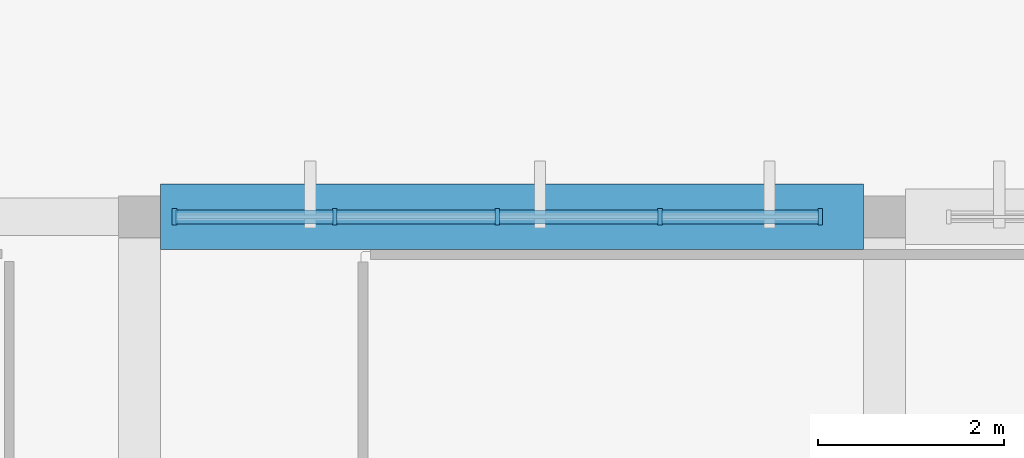
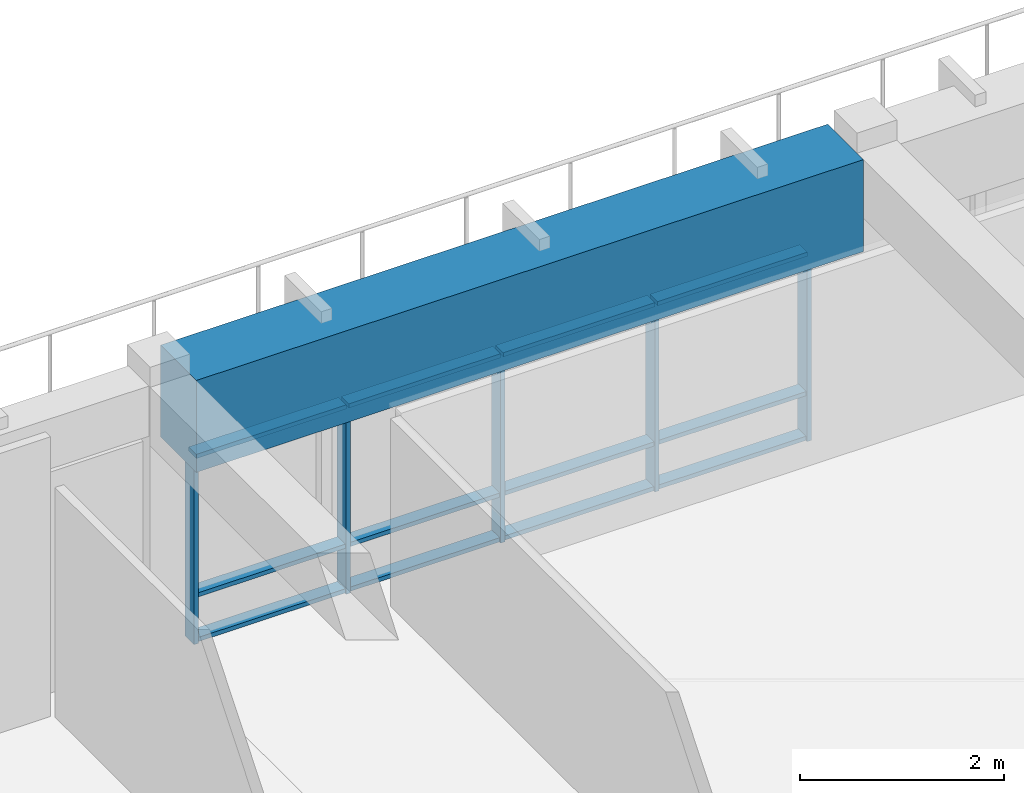
# One storey, part 21 of 77: 17 members, 1 beam, 1 element without a shape of its own.
"""IFC4 building model written with IfcOpenShell, lengths in metres."""

import ifcopenshell
import ifcopenshell.guid

model = None  # the IFC model being written
_history = None  # IfcOwnerHistory: only IFC2X3 demands one
_inside = {}  # id of a spatial element -> (the spatial element, [elements in it])
_under = {}  # id of a project, library or spatial element -> (it, [spatial elements below it])
_declared = {}  # id of a project -> (the project, [libraries it declares])
_typed = {}  # id of a type object -> (the type object, [elements of that type])
_made_of = {}  # id of a material, layer set ... -> (it, [elements and type objects made of it])


def new_model(schema):
    """Start an empty IFC model of exactly this schema.

    Asked for "IFC4X3", IfcOpenShell would pick the latest addendum, in which some entities
    have other attributes; the version numbers below select the first issue.
    IFC2X3 requires an IfcOwnerHistory on every rooted entity: one is made here for all.
    """
    global model, _history
    if schema == "IFC4X3":
        model = ifcopenshell.file(schema_version=(4, 3, 0, 0))
    else:
        model = ifcopenshell.file(schema=schema)
    _inside.clear()
    _under.clear()
    _declared.clear()
    _typed.clear()
    _made_of.clear()
    _history = None
    if model.schema == "IFC2X3":
        org = make("IfcOrganization", Name="unknown")
        user = make(
            "IfcPersonAndOrganization",
            ThePerson=make("IfcPerson", FamilyName="unknown"),
            TheOrganization=org,
        )
        app = make(
            "IfcApplication",
            ApplicationDeveloper=org,
            Version="unknown",
            ApplicationFullName="unknown",
            ApplicationIdentifier="unknown",
        )
        _history = make(
            "IfcOwnerHistory",
            OwningUser=user,
            OwningApplication=app,
            ChangeAction="ADDED",
            CreationDate=0,
        )
    return model


def make(cls, **values):
    """One entity of the class cls with the attributes given. An attribute that is None is left unset."""
    return model.create_entity(
        cls, **{name: value for name, value in values.items() if value is not None}
    )


def rooted(cls, **values):
    """An entity with a GlobalId (a new one), such as an element, a storey or a relation."""
    return make(cls, GlobalId=ifcopenshell.guid.new(), OwnerHistory=_history, **values)


def si_unit(unit_type, name, prefix=None):
    """IfcSIUnit, for example si_unit("LENGTHUNIT", "METRE", prefix="MILLI")."""
    return make("IfcSIUnit", UnitType=unit_type, Prefix=prefix, Name=name)


def assignment(units):
    """IfcUnitAssignment: the units of a project."""
    return None if units is None else make("IfcUnitAssignment", Units=units)


def point(xyz):
    """IfcCartesianPoint."""
    return None if xyz is None else make("IfcCartesianPoint", Coordinates=xyz)


def direction(xyz):
    """IfcDirection."""
    return None if xyz is None else make("IfcDirection", DirectionRatios=xyz)


def frame(location, z_axis=None, x_axis=None):
    """IfcAxis2Placement3D, a coordinate frame: its origin and axes. An axis left out is left unset."""
    return make(
        "IfcAxis2Placement3D",
        Location=point(location),
        Axis=direction(z_axis),
        RefDirection=direction(x_axis),
    )


def frame_2d(location, x_axis=None):
    """IfcAxis2Placement2D, a coordinate frame in the plane: its origin and x axis."""
    return make(
        "IfcAxis2Placement2D", Location=point(location), RefDirection=direction(x_axis)
    )


def origin():
    """The frame at (0, 0, 0) with its axes left unset."""
    return frame((0.0, 0.0, 0.0))


def origin_2d():
    """The frame at (0, 0) in the plane with its x axis left unset."""
    return frame_2d((0.0, 0.0))


def place(relative_to, where):
    """IfcLocalPlacement: puts the frame where relative to a parent placement (None: the world)."""
    return make(
        "IfcLocalPlacement", PlacementRelTo=relative_to, RelativePlacement=where
    )


def context(
    kind, dimensions, precision=None, world=None, true_north=None, identifier=None
):
    """IfcGeometricRepresentationContext, for example the 3D "Model" context."""
    return make(
        "IfcGeometricRepresentationContext",
        ContextIdentifier=identifier,
        ContextType=kind,
        CoordinateSpaceDimension=dimensions,
        Precision=precision,
        WorldCoordinateSystem=world,
        TrueNorth=true_north,
    )


def subcontext(parent, identifier, kind, view, scale=None):
    """IfcGeometricRepresentationSubContext, for example "Body" below "Model"."""
    return make(
        "IfcGeometricRepresentationSubContext",
        ContextIdentifier=identifier,
        ContextType=kind,
        ParentContext=parent,
        TargetScale=scale,
        TargetView=view,
    )


def project(units=None, contexts=None):
    """IfcProject with its units and contexts."""
    return rooted(
        "IfcProject",
        Name="project",
        RepresentationContexts=contexts,
        UnitsInContext=assignment(units),
    )


def spatial(cls, under=None, at=None, **own):
    """A site, building, storey or space (cls), placed at a placement, below another one or the project."""
    s = rooted(cls, ObjectPlacement=at, **own)
    if under is not None:
        _under.setdefault(under.id(), (under, []))[1].append(s)
    return s


def profile(cls, at=None, kind="AREA", **sizes):
    """A parametric profile (cls). Its sizes go by their IFC names, for example OverallWidth=200.0."""
    return make(cls, ProfileType=kind, Position=at, **sizes)


def rectangle(**sizes):
    """IfcRectangleProfileDef."""
    return profile("IfcRectangleProfileDef", **sizes)


def extrude(swept, where, along, depth):
    """IfcExtrudedAreaSolid: the profile swept, set in the frame where, extruded along a direction by depth."""
    return make(
        "IfcExtrudedAreaSolid",
        SweptArea=swept,
        Position=where,
        ExtrudedDirection=direction(along),
        Depth=depth,
    )


def shape(context_of_items, identifier, shape_type, items):
    """IfcShapeRepresentation: the items that make up one representation, for example the "Body"."""
    return make(
        "IfcShapeRepresentation",
        ContextOfItems=context_of_items,
        RepresentationIdentifier=identifier,
        RepresentationType=shape_type,
        Items=items,
    )


def material(Name=None, Category=None):
    """IfcMaterial."""
    return make("IfcMaterial", Name=Name, Category=Category)


def material_profile(
    of_material, cross_section, Name=None, Category=None, Priority=None
):
    """IfcMaterialProfile: a cross section and its material."""
    return make(
        "IfcMaterialProfile",
        Name=Name,
        Material=of_material,
        Profile=cross_section,
        Priority=Priority,
        Category=Category,
    )


def profile_set(profiles, Name=None, composite=None):
    """IfcMaterialProfileSet."""
    return make(
        "IfcMaterialProfileSet",
        Name=Name,
        MaterialProfiles=profiles,
        CompositeProfile=composite,
    )


def made_of(thing, what):
    """Note that an element or type object is made of a material, layer set ...; save() writes the relation."""
    if what is not None:
        _made_of.setdefault(what.id(), (what, []))[1].append(thing)
    return thing


def type_object(cls, material=None, **own):
    """A type object (cls), such as IfcWallType, which elements share."""
    return made_of(rooted(cls, **own), material)


def element(
    cls,
    number,
    at=None,
    inside=None,
    cuts=None,
    type_object=None,
    material=None,
    context=None,
    identifier="Body",
    shape_type=None,
    held_by="IfcProductDefinitionShape",
    body=None,
    shapes=None,
    **own,
):
    """One element of the class cls, such as IfcWall. Its Tag is "e" and its number.

    at: its placement. inside: the storey or other place that contains it. cuts: it is an
    opening in that element (IfcRelVoidsElement). A single representation is given by context,
    identifier, shape_type and body (its items); several are given by shapes. held_by: the class
    of the entity that holds the representations. save() writes the other relations.
    """
    e = rooted(cls, Tag="e%d" % number, ObjectPlacement=at, **own)
    if body is not None:
        shapes = [shape(context, identifier, shape_type, body)]
    if shapes is not None:
        e.Representation = make(held_by, Representations=shapes)
    if inside is not None:
        _inside.setdefault(inside.id(), (inside, []))[1].append(e)
    if cuts is not None:
        rooted(
            "IfcRelVoidsElement", RelatingBuildingElement=cuts, RelatedOpeningElement=e
        )
    if type_object is not None:
        _typed.setdefault(type_object.id(), (type_object, []))[1].append(e)
    return made_of(e, material)


def aggregate(whole, parts):
    """IfcRelAggregates: a whole, such as a stair, and the parts it consists of."""
    return rooted("IfcRelAggregates", RelatingObject=whole, RelatedObjects=parts)


def save(model, path):
    """Write the relations noted so far, then the file.

    IfcRelAggregates (storeys below a building ...), IfcRelContainedInSpatialStructure (elements
    in a storey), IfcRelDefinesByType, IfcRelAssociatesMaterial and IfcRelDeclares: one each for
    every whole, place, type object, material and project.
    """
    for whole, parts in _under.values():
        aggregate(whole, parts)
    for where, things in _inside.values():
        rooted(
            "IfcRelContainedInSpatialStructure",
            RelatedElements=things,
            RelatingStructure=where,
        )
    for kind, things in _typed.values():
        rooted("IfcRelDefinesByType", RelatedObjects=things, RelatingType=kind)
    for what, things in _made_of.values():
        rooted("IfcRelAssociatesMaterial", RelatedObjects=things, RelatingMaterial=what)
    for by, libraries in _declared.values():
        rooted("IfcRelDeclares", RelatingContext=by, RelatedDefinitions=libraries)
    model.write(path)


model = new_model("IFC4")

# Units and contexts
model_context = context("Model", 3, precision=1e-05, world=origin(), true_north=direction((0.0, 1.0)))
body_context = subcontext(model_context, "Body", "Model", "MODEL_VIEW")
ifc_project = project(units=[si_unit("LENGTHUNIT", "METRE"), si_unit("AREAUNIT", "SQUARE_METRE"), si_unit("VOLUMEUNIT", "CUBIC_METRE"), si_unit("PLANEANGLEUNIT", "RADIAN"), si_unit("MASSUNIT", "GRAM", prefix="KILO")], contexts=[model_context])

# Site, building, storey
site_placement = place(None, origin())
site = spatial("IfcSite", under=ifc_project, at=site_placement, CompositionType="ELEMENT")
building_placement = place(site_placement, origin())
building = spatial("IfcBuilding", under=site, at=building_placement, Name="Larkveld Mobility Hub", CompositionType="ELEMENT")
storey_placement = place(building_placement, frame((0.0, 0.0, 12.0)))
storey = spatial("IfcBuildingStorey", under=building, at=storey_placement, Name="L03", CompositionType="ELEMENT", Elevation=12.0)

# Beam
ifc_material_1 = material(Name="Concrete C40/50", Category="concrete")
ifc_material_profile_1 = material_profile(ifc_material_1, rectangle(XDim=0.699951171875, YDim=1.10009765625, at=origin_2d()), Name="RC BM 700x1100")
ifc_profile_set_1 = profile_set([ifc_material_profile_1], Name="Concrete C40/50")
beam_type = type_object("IfcBeamType", Name="BM-RC70110", PredefinedType="BEAM", material=ifc_profile_set_1)
beam_placement = place(storey_placement, frame((56.22509765625, 122.0, 2.81005859375), z_axis=(1.0, 0.0, 0.0), x_axis=(0.0, 1.0, 0.0)))
element("IfcBeam", 1, at=beam_placement, inside=storey, type_object=beam_type, Name="Primary E-W Girder L03-0767", PredefinedType="BEAM", context=body_context, shape_type="SweptSolid", body=[
    extrude(rectangle(XDim=0.699951171875, YDim=1.10009765625, at=origin_2d()), origin(), (0.0, 0.0, 1.0), 7.5498046875),
])

# Curtain wall, members
ifc_material_2 = material(Name="Anodised aluminium 6063-T6", Category="aluminium")
curtain_wall_type = type_object("IfcCurtainWallType", Name="CW-SYS-06", PredefinedType="NOTDEFINED", material=ifc_material_2)
curtain_wall_placement = place(storey_placement, origin())
curtain_wall = element("IfcCurtainWall", 2, at=curtain_wall_placement, inside=storey, type_object=curtain_wall_type, Name="Bicycle Hall North Curtain Wall L03 CW-090", PredefinedType="NOTDEFINED")
ifc_material_profile_2 = material_profile(ifc_material_2, rectangle(XDim=0.050048828125, YDim=0.179931640625, at=origin_2d()), Name="ALU MULL 50x180")
ifc_profile_set_2 = profile_set([ifc_material_profile_2], Name="Anodised aluminium 6063-T6")
member_type_1 = type_object("IfcMemberType", Name="CW-MUL-02", PredefinedType="MULLION", material=ifc_profile_set_2)
member_1_placement = place(storey_placement, frame((63.31005859375, 122.0, -0.001953125), z_axis=(0.0, 0.0, 1.0), x_axis=(-1.0, 0.0, 0.0)))
member_1 = element("IfcMember", 3, at=member_1_placement, type_object=member_type_1, Name="CW06 mullion 1", PredefinedType="MULLION", context=body_context, shape_type="SweptSolid", body=[
    extrude(rectangle(XDim=0.050048828125, YDim=0.179931640625, at=origin_2d()), origin(), (0.0, 0.0, 1.0), 2.261962890625),
])
member_2_placement = place(storey_placement, frame((61.589111328125, 122.0, -0.001953125), z_axis=(0.0, 0.0, 1.0), x_axis=(-1.0, 0.0, 0.0)))
member_2 = element("IfcMember", 4, at=member_2_placement, type_object=member_type_1, Name="CW06 mullion 2", PredefinedType="MULLION", context=body_context, shape_type="SweptSolid", body=[
    extrude(rectangle(XDim=0.050048828125, YDim=0.179931640625, at=origin_2d()), origin(), (0.0, 0.0, 1.0), 2.261962890625),
])
member_3_placement = place(storey_placement, frame((59.843017578125, 122.0, -0.001953125), z_axis=(0.0, 0.0, 1.0), x_axis=(-1.0, 0.0, 0.0)))
member_3 = element("IfcMember", 5, at=member_3_placement, type_object=member_type_1, Name="CW06 mullion 3", PredefinedType="MULLION", context=body_context, shape_type="SweptSolid", body=[
    extrude(rectangle(XDim=0.050048828125, YDim=0.179931640625, at=origin_2d()), origin(), (0.0, 0.0, 1.0), 2.261962890625),
])
member_4_placement = place(storey_placement, frame((58.095947265625, 122.0, -0.001953125), z_axis=(0.0, 0.0, 1.0), x_axis=(-1.0, 0.0, 0.0)))
member_4 = element("IfcMember", 6, at=member_4_placement, type_object=member_type_1, Name="CW06 mullion 4", PredefinedType="MULLION", context=body_context, shape_type="SweptSolid", body=[
    extrude(rectangle(XDim=0.050048828125, YDim=0.179931640625, at=origin_2d()), origin(), (0.0, 0.0, 1.0), 2.261962890625),
])
member_5_placement = place(storey_placement, frame((56.375, 122.0, -0.001953125), z_axis=(0.0, 0.0, 1.0), x_axis=(-1.0, 0.0, 0.0)))
member_5 = element("IfcMember", 7, at=member_5_placement, type_object=member_type_1, Name="CW06 mullion 5", PredefinedType="MULLION", context=body_context, shape_type="SweptSolid", body=[
    extrude(rectangle(XDim=0.050048828125, YDim=0.179931640625, at=origin_2d()), origin(), (0.0, 0.0, 1.0), 2.261962890625),
])
ifc_material_profile_3 = material_profile(ifc_material_2, rectangle(XDim=0.14990234375, YDim=0.050048828125, at=origin_2d()), Name="ALU TRAN 50x150")
ifc_profile_set_3 = profile_set([ifc_material_profile_3], Name="Anodised aluminium 6063-T6")
member_type_2 = type_object("IfcMemberType", Name="CW-TRN-02", PredefinedType="USERDEFINED", material=ifc_profile_set_3)
member_6_placement = place(storey_placement, frame((63.300048828125, 122.0, 0.030029296875), z_axis=(-1.0, 0.0, 0.0), x_axis=(0.0, -1.0, 0.0)))
member_6 = element("IfcMember", 8, at=member_6_placement, type_object=member_type_2, Name="CW06 transom 1.1", ObjectType="TRANSOM", PredefinedType="USERDEFINED", context=body_context, shape_type="SweptSolid", body=[
    extrude(rectangle(XDim=0.14990234375, YDim=0.050048828125, at=origin_2d()), origin(), (0.0, 0.0, 1.0), 1.696044921875),
])
member_7_placement = place(storey_placement, frame((63.300048828125, 122.0, 0.56494140625), z_axis=(-1.0, 0.0, 0.0), x_axis=(0.0, -1.0, 0.0)))
member_7 = element("IfcMember", 9, at=member_7_placement, type_object=member_type_2, Name="CW06 transom 1.2", ObjectType="TRANSOM", PredefinedType="USERDEFINED", context=body_context, shape_type="SweptSolid", body=[
    extrude(rectangle(XDim=0.14990234375, YDim=0.050048828125, at=origin_2d()), origin(), (0.0, 0.0, 1.0), 1.696044921875),
])
member_8_placement = place(storey_placement, frame((63.300048828125, 122.0, 2.22802734375), z_axis=(-1.0, 0.0, 0.0), x_axis=(0.0, -1.0, 0.0)))
member_8 = element("IfcMember", 10, at=member_8_placement, type_object=member_type_2, Name="CW06 transom 1.3", ObjectType="TRANSOM", PredefinedType="USERDEFINED", context=body_context, shape_type="SweptSolid", body=[
    extrude(rectangle(XDim=0.14990234375, YDim=0.050048828125, at=origin_2d()), origin(), (0.0, 0.0, 1.0), 1.696044921875),
])
member_9_placement = place(storey_placement, frame((61.573974609375, 122.0, 0.030029296875), z_axis=(-1.0, 0.0, 0.0), x_axis=(0.0, -1.0, 0.0)))
member_9 = element("IfcMember", 11, at=member_9_placement, type_object=member_type_2, Name="CW06 transom 2.1", ObjectType="TRANSOM", PredefinedType="USERDEFINED", context=body_context, shape_type="SweptSolid", body=[
    extrude(rectangle(XDim=0.14990234375, YDim=0.050048828125, at=origin_2d()), origin(), (0.0, 0.0, 1.0), 1.716064453125),
])
member_10_placement = place(storey_placement, frame((61.573974609375, 122.0, 0.56494140625), z_axis=(-1.0, 0.0, 0.0), x_axis=(0.0, -1.0, 0.0)))
member_10 = element("IfcMember", 12, at=member_10_placement, type_object=member_type_2, Name="CW06 transom 2.2", ObjectType="TRANSOM", PredefinedType="USERDEFINED", context=body_context, shape_type="SweptSolid", body=[
    extrude(rectangle(XDim=0.14990234375, YDim=0.050048828125, at=origin_2d()), origin(), (0.0, 0.0, 1.0), 1.716064453125),
])
member_11_placement = place(storey_placement, frame((61.573974609375, 122.0, 2.22802734375), z_axis=(-1.0, 0.0, 0.0), x_axis=(0.0, -1.0, 0.0)))
member_11 = element("IfcMember", 13, at=member_11_placement, type_object=member_type_2, Name="CW06 transom 2.3", ObjectType="TRANSOM", PredefinedType="USERDEFINED", context=body_context, shape_type="SweptSolid", body=[
    extrude(rectangle(XDim=0.14990234375, YDim=0.050048828125, at=origin_2d()), origin(), (0.0, 0.0, 1.0), 1.716064453125),
])
member_12_placement = place(storey_placement, frame((59.827880859375, 122.0, 0.030029296875), z_axis=(-1.0, 0.0, 0.0), x_axis=(0.0, -1.0, 0.0)))
member_12 = element("IfcMember", 14, at=member_12_placement, type_object=member_type_2, Name="CW06 transom 3.1", ObjectType="TRANSOM", PredefinedType="USERDEFINED", context=body_context, shape_type="SweptSolid", body=[
    extrude(rectangle(XDim=0.14990234375, YDim=0.050048828125, at=origin_2d()), origin(), (0.0, 0.0, 1.0), 1.716796875),
])
member_13_placement = place(storey_placement, frame((59.827880859375, 122.0, 0.56494140625), z_axis=(-1.0, 0.0, 0.0), x_axis=(0.0, -1.0, 0.0)))
member_13 = element("IfcMember", 15, at=member_13_placement, type_object=member_type_2, Name="CW06 transom 3.2", ObjectType="TRANSOM", PredefinedType="USERDEFINED", context=body_context, shape_type="SweptSolid", body=[
    extrude(rectangle(XDim=0.14990234375, YDim=0.050048828125, at=origin_2d()), origin(), (0.0, 0.0, 1.0), 1.716796875),
])
member_14_placement = place(storey_placement, frame((59.827880859375, 122.0, 2.22802734375), z_axis=(-1.0, 0.0, 0.0), x_axis=(0.0, -1.0, 0.0)))
member_14 = element("IfcMember", 16, at=member_14_placement, type_object=member_type_2, Name="CW06 transom 3.3", ObjectType="TRANSOM", PredefinedType="USERDEFINED", context=body_context, shape_type="SweptSolid", body=[
    extrude(rectangle(XDim=0.14990234375, YDim=0.050048828125, at=origin_2d()), origin(), (0.0, 0.0, 1.0), 1.716796875),
])
member_15_placement = place(storey_placement, frame((58.0810546875, 122.0, 0.030029296875), z_axis=(-1.0, 0.0, 0.0), x_axis=(0.0, -1.0, 0.0)))
member_15 = element("IfcMember", 17, at=member_15_placement, type_object=member_type_2, Name="CW06 transom 4.1", ObjectType="TRANSOM", PredefinedType="USERDEFINED", context=body_context, shape_type="SweptSolid", body=[
    extrude(rectangle(XDim=0.14990234375, YDim=0.050048828125, at=origin_2d()), origin(), (0.0, 0.0, 1.0), 1.696044921875),
])
member_16_placement = place(storey_placement, frame((58.0810546875, 122.0, 0.56494140625), z_axis=(-1.0, 0.0, 0.0), x_axis=(0.0, -1.0, 0.0)))
member_16 = element("IfcMember", 18, at=member_16_placement, type_object=member_type_2, Name="CW06 transom 4.2", ObjectType="TRANSOM", PredefinedType="USERDEFINED", context=body_context, shape_type="SweptSolid", body=[
    extrude(rectangle(XDim=0.14990234375, YDim=0.050048828125, at=origin_2d()), origin(), (0.0, 0.0, 1.0), 1.696044921875),
])
member_17_placement = place(storey_placement, frame((58.0810546875, 122.0, 2.22802734375), z_axis=(-1.0, 0.0, 0.0), x_axis=(0.0, -1.0, 0.0)))
member_17 = element("IfcMember", 19, at=member_17_placement, type_object=member_type_2, Name="CW06 transom 4.3", ObjectType="TRANSOM", PredefinedType="USERDEFINED", context=body_context, shape_type="SweptSolid", body=[
    extrude(rectangle(XDim=0.14990234375, YDim=0.050048828125, at=origin_2d()), origin(), (0.0, 0.0, 1.0), 1.696044921875),
])
aggregate(curtain_wall, [member_1, member_2, member_3, member_4, member_5, member_6, member_7, member_8, member_9, member_10, member_11, member_12, member_13, member_14, member_15, member_16, member_17])

save(model, "model.ifc")
